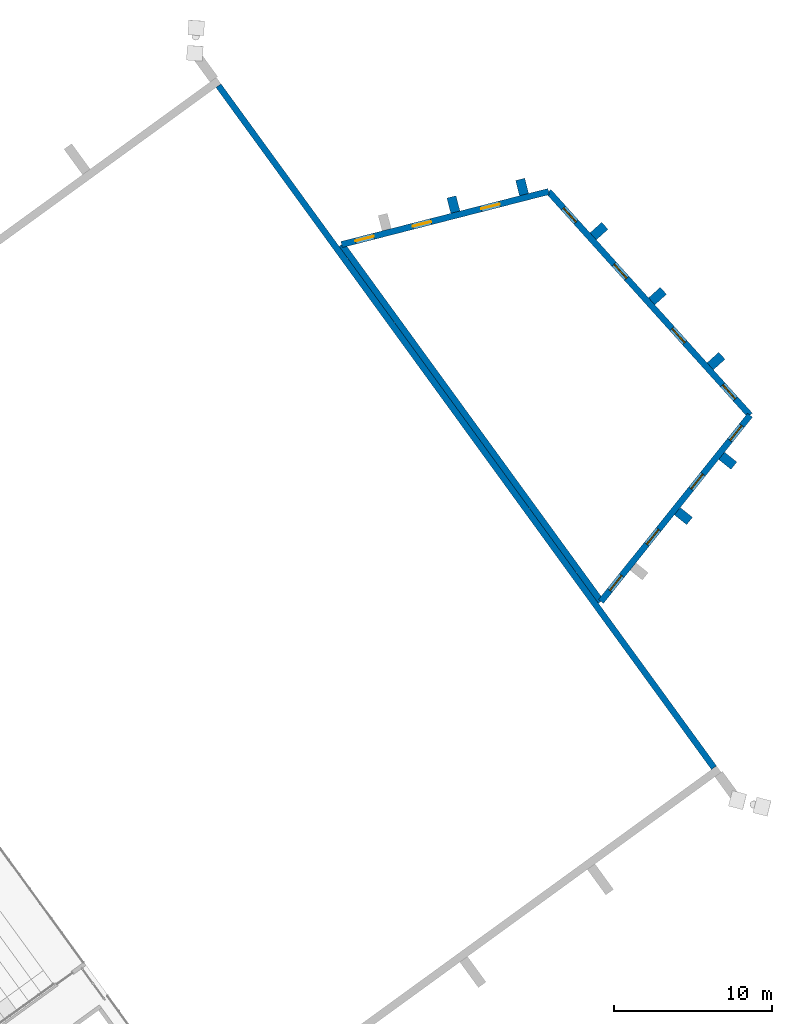
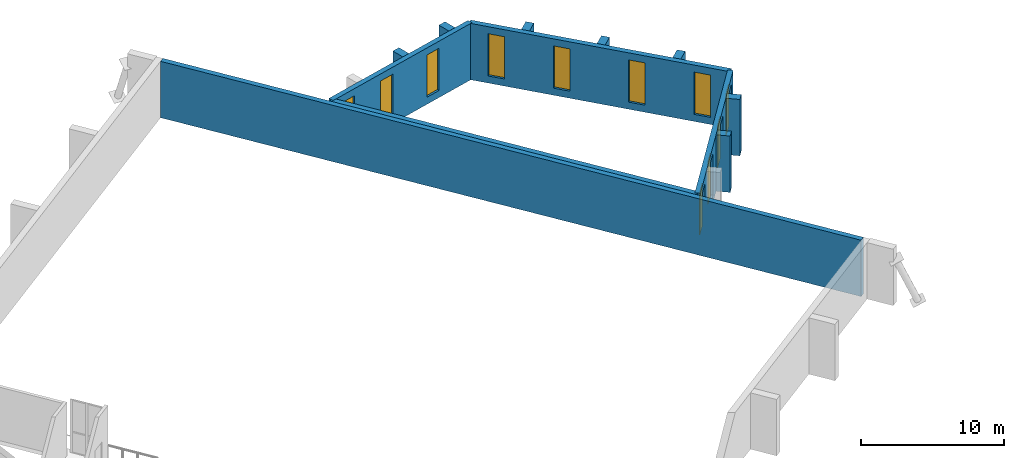
# One storey, part 149 of 182: 12 walls, 11 windows, 11 openings.
"""IFC4 building model written with IfcOpenShell, lengths in metres."""

from ifc_helpers import new_model, si_unit, direction, frame, frame_2d, origin, place, context, subcontext, project, spatial, rectangle, extrude, material, layer, layer_set, type_object, element, fill, save


model = new_model("IFC4")

# Units and contexts
model_context = context("Model", 3, precision=1e-05, world=origin(), true_north=direction((0.0, 1.0)))
body_context = subcontext(model_context, "Body", "Model", "MODEL_VIEW")
ifc_project = project(units=[si_unit("LENGTHUNIT", "METRE"), si_unit("AREAUNIT", "SQUARE_METRE"), si_unit("VOLUMEUNIT", "CUBIC_METRE"), si_unit("PLANEANGLEUNIT", "RADIAN"), si_unit("MASSUNIT", "GRAM", prefix="KILO")], contexts=[model_context])

# Site, building, storey
site_placement = place(None, origin())
site = spatial("IfcSite", under=ifc_project, at=site_placement, CompositionType="ELEMENT")
building_placement = place(site_placement, origin())
building = spatial("IfcBuilding", under=site, at=building_placement, Name="Okhra Congress Centre", CompositionType="ELEMENT")
storey_placement = place(building_placement, frame((0.0, 0.0, 7.199951171875)))
storey = spatial("IfcBuildingStorey", under=building, at=storey_placement, Name="L01", CompositionType="ELEMENT", Elevation=7.199951171875)

# Walls
ifc_material_1 = material(Name="Concrete C30/37", Category="concrete")
ifc_layer_1 = layer(ifc_material_1, 0.39990234375)
ifc_layer_set_1 = layer_set([ifc_layer_1], Name="RC wall 400 REI 120 C30/37")
wall_type_1 = type_object("IfcWallType", Name="RC wall 400 REI 120 C30/37", PredefinedType="SOLIDWALL", material=ifc_layer_set_1)
wall_1_placement = place(storey_placement, frame((278.20458984375, 191.578369140625, 0.0), z_axis=(0.0, 0.0, 1.0), x_axis=(-0.587787147296, 0.809015617571, 0.0)))
element("IfcWall", 1, at=wall_1_placement, inside=storey, type_object=wall_type_1, Name="End wall E L01", PredefinedType="SOLIDWALL", context=body_context, shape_type="SweptSolid", body=[
    extrude(rectangle(XDim=53.499755859375, YDim=0.39990234375, at=frame_2d((26.75, 0.0))), origin(), (0.0, 0.0, 1.0), 4.800048828125),
])
wall_2_placement = place(storey_placement, frame((271.033935546875, 202.12841796875, 0.0), z_axis=(0.0, 0.0, 1.0), x_axis=(-0.587787980643, 0.809015012105, 0.0)))
element("IfcWall", 2, at=wall_2_placement, inside=storey, type_object=wall_type_1, Name="Stage house wall W L01", PredefinedType="SOLIDWALL", context=body_context, shape_type="SweptSolid", body=[
    extrude(rectangle(XDim=28.0, YDim=0.39990234375, at=frame_2d((14.0, 0.0))), origin(), (0.0, 0.0, 1.0), 4.800048828125),
])

# Wall, openings, windows
wall_3_placement = place(storey_placement, frame((280.494384765625, 213.946044921875, 0.0), z_axis=(0.0, 0.0, 1.0), x_axis=(-0.66924426707, 0.743042469173, 0.0)))
wall_3 = element("IfcWall", 3, at=wall_3_placement, inside=storey, type_object=wall_type_1, Name="Stage house wall E L01", PredefinedType="SOLIDWALL", context=body_context, shape_type="SweptSolid", body=[
    extrude(rectangle(XDim=19.10498046875, YDim=0.39990234375, at=frame_2d((9.552490234375, 0.0))), origin(), (0.0, 0.0, 1.0), 4.800048828125),
])
opening_1_placement = place(wall_3_placement, frame((1.39990234375, 0.0, 0.60009765625)))
opening_1 = element("IfcOpeningElement", 4, at=opening_1_placement, cuts=wall_3, Name="Opening WN38", PredefinedType="OPENING", context=body_context, shape_type="SweptSolid", body=[
    extrude(rectangle(XDim=1.199951171875, YDim=3.60009765625, at=frame_2d((0.60009765625, 1.800048828125))), frame((0.0, 0.2099609375, 0.0), z_axis=(0.0, -1.0, 0.0), x_axis=(1.0, 0.0, 0.0)), (0.0, 0.0, 1.0), 0.419921875),
])
opening_2_placement = place(wall_3_placement, frame((6.199951171875, 0.0, 0.60009765625)))
opening_2 = element("IfcOpeningElement", 5, at=opening_2_placement, cuts=wall_3, Name="Opening WN38", PredefinedType="OPENING", context=body_context, shape_type="SweptSolid", body=[
    extrude(rectangle(XDim=1.199951171875, YDim=3.60009765625, at=frame_2d((0.60009765625, 1.800048828125))), frame((0.0, 0.2099609375, 0.0), z_axis=(0.0, -1.0, 0.0), x_axis=(1.0, 0.0, 0.0)), (0.0, 0.0, 1.0), 0.419921875),
])
opening_3_placement = place(wall_3_placement, frame((11.699951171875, 0.0, 0.60009765625)))
opening_3 = element("IfcOpeningElement", 6, at=opening_3_placement, cuts=wall_3, Name="Opening WN38", PredefinedType="OPENING", context=body_context, shape_type="SweptSolid", body=[
    extrude(rectangle(XDim=1.199951171875, YDim=3.60009765625, at=frame_2d((0.60009765625, 1.800048828125))), frame((0.0, 0.2099609375, 0.0), z_axis=(0.0, -1.0, 0.0), x_axis=(1.0, 0.0, 0.0)), (0.0, 0.0, 1.0), 0.419921875),
])
opening_4_placement = place(wall_3_placement, frame((16.5, 0.0, 0.60009765625)))
opening_4 = element("IfcOpeningElement", 7, at=opening_4_placement, cuts=wall_3, Name="Opening WN38", PredefinedType="OPENING", context=body_context, shape_type="SweptSolid", body=[
    extrude(rectangle(XDim=1.199951171875, YDim=3.60009765625, at=frame_2d((0.60009765625, 1.800048828125))), frame((0.0, 0.2099609375, 0.0), z_axis=(0.0, -1.0, 0.0), x_axis=(1.0, 0.0, 0.0)), (0.0, 0.0, 1.0), 0.419921875),
])
ifc_material_2 = material(Name="Thermally broken aluminium frame, triple glazing", Category="aluminium")
window_type = type_object("IfcWindowType", Name="Fixed window 1200x3600", PartitioningType="SINGLE_PANEL", PredefinedType="WINDOW", material=ifc_material_2)
window_1_placement = place(opening_1_placement, origin())
window_1 = element("IfcWindow", 8, at=window_1_placement, inside=storey, type_object=window_type, Name="Stage house slot window", OverallHeight=3.60009765625, OverallWidth=1.199951171875, PartitioningType="SINGLE_PANEL", PredefinedType="WINDOW", context=body_context, shape_type="SweptSolid", body=[
    extrude(rectangle(XDim=1.199951171875, YDim=3.60009765625, at=frame_2d((0.60009765625, 1.800048828125))), frame((0.0, 0.030029296875, 0.0), z_axis=(0.0, -1.0, 0.0), x_axis=(1.0, 0.0, 0.0)), (0.0, 0.0, 1.0), 0.06005859375),
])
fill(opening_1, window_1)
window_2_placement = place(opening_2_placement, origin())
window_2 = element("IfcWindow", 9, at=window_2_placement, inside=storey, type_object=window_type, Name="Stage house slot window", OverallHeight=3.60009765625, OverallWidth=1.199951171875, PartitioningType="SINGLE_PANEL", PredefinedType="WINDOW", context=body_context, shape_type="SweptSolid", body=[
    extrude(rectangle(XDim=1.199951171875, YDim=3.60009765625, at=frame_2d((0.60009765625, 1.800048828125))), frame((0.0, 0.030029296875, 0.0), z_axis=(0.0, -1.0, 0.0), x_axis=(1.0, 0.0, 0.0)), (0.0, 0.0, 1.0), 0.06005859375),
])
fill(opening_2, window_2)
window_3_placement = place(opening_3_placement, origin())
window_3 = element("IfcWindow", 10, at=window_3_placement, inside=storey, type_object=window_type, Name="Stage house slot window", OverallHeight=3.60009765625, OverallWidth=1.199951171875, PartitioningType="SINGLE_PANEL", PredefinedType="WINDOW", context=body_context, shape_type="SweptSolid", body=[
    extrude(rectangle(XDim=1.199951171875, YDim=3.60009765625, at=frame_2d((0.60009765625, 1.800048828125))), frame((0.0, 0.030029296875, 0.0), z_axis=(0.0, -1.0, 0.0), x_axis=(1.0, 0.0, 0.0)), (0.0, 0.0, 1.0), 0.06005859375),
])
fill(opening_3, window_3)
window_4_placement = place(opening_4_placement, origin())
window_4 = element("IfcWindow", 11, at=window_4_placement, inside=storey, type_object=window_type, Name="Stage house slot window", OverallHeight=3.60009765625, OverallWidth=1.199951171875, PartitioningType="SINGLE_PANEL", PredefinedType="WINDOW", context=body_context, shape_type="SweptSolid", body=[
    extrude(rectangle(XDim=1.199951171875, YDim=3.60009765625, at=frame_2d((0.60009765625, 1.800048828125))), frame((0.0, 0.030029296875, 0.0), z_axis=(0.0, -1.0, 0.0), x_axis=(1.0, 0.0, 0.0)), (0.0, 0.0, 1.0), 0.06005859375),
])
fill(opening_4, window_4)

wall_4_placement = place(storey_placement, frame((271.033935546875, 202.12841796875, 0.0), z_axis=(0.0, 0.0, 1.0), x_axis=(0.624950698066, 0.780664220384, 0.0)))
wall_4 = element("IfcWall", 12, at=wall_4_placement, inside=storey, type_object=wall_type_1, Name="Stage house wall S L01", PredefinedType="SOLIDWALL", context=body_context, shape_type="SweptSolid", body=[
    extrude(rectangle(XDim=15.137939453125, YDim=0.39990234375, at=frame_2d((7.56884765625, 0.0))), origin(), (0.0, 0.0, 1.0), 4.800048828125),
])
opening_5_placement = place(wall_4_placement, frame((0.89990234375, 0.0, 0.60009765625)))
opening_5 = element("IfcOpeningElement", 13, at=opening_5_placement, cuts=wall_4, Name="Opening WN38", PredefinedType="OPENING", context=body_context, shape_type="SweptSolid", body=[
    extrude(rectangle(XDim=1.199951171875, YDim=3.60009765625, at=frame_2d((0.60009765625, 1.800048828125))), frame((0.0, 0.2099609375, 0.0), z_axis=(0.0, -1.0, 0.0), x_axis=(1.0, 0.0, 0.0)), (0.0, 0.0, 1.0), 0.419921875),
])
opening_6_placement = place(wall_4_placement, frame((4.64990234375, 0.0, 0.60009765625)))
opening_6 = element("IfcOpeningElement", 14, at=opening_6_placement, cuts=wall_4, Name="Opening WN38", PredefinedType="OPENING", context=body_context, shape_type="SweptSolid", body=[
    extrude(rectangle(XDim=1.199951171875, YDim=3.60009765625, at=frame_2d((0.60009765625, 1.800048828125))), frame((0.0, 0.2099609375, 0.0), z_axis=(0.0, -1.0, 0.0), x_axis=(1.0, 0.0, 0.0)), (0.0, 0.0, 1.0), 0.419921875),
])
opening_7_placement = place(wall_4_placement, frame((9.14990234375, 0.0, 0.60009765625)))
opening_7 = element("IfcOpeningElement", 15, at=opening_7_placement, cuts=wall_4, Name="Opening WN38", PredefinedType="OPENING", context=body_context, shape_type="SweptSolid", body=[
    extrude(rectangle(XDim=1.199951171875, YDim=3.60009765625, at=frame_2d((0.60009765625, 1.800048828125))), frame((0.0, 0.2099609375, 0.0), z_axis=(0.0, -1.0, 0.0), x_axis=(1.0, 0.0, 0.0)), (0.0, 0.0, 1.0), 0.419921875),
])
opening_8_placement = place(wall_4_placement, frame((13.10009765625, 0.0, 0.60009765625)))
opening_8 = element("IfcOpeningElement", 16, at=opening_8_placement, cuts=wall_4, Name="Opening WN38", PredefinedType="OPENING", context=body_context, shape_type="SweptSolid", body=[
    extrude(rectangle(XDim=1.199951171875, YDim=3.60009765625, at=frame_2d((0.60009765625, 1.800048828125))), frame((0.0, 0.2099609375, 0.0), z_axis=(0.0, -1.0, 0.0), x_axis=(1.0, 0.0, 0.0)), (0.0, 0.0, 1.0), 0.419921875),
])
window_5_placement = place(opening_5_placement, origin())
window_5 = element("IfcWindow", 17, at=window_5_placement, inside=storey, type_object=window_type, Name="Stage house slot window", OverallHeight=3.60009765625, OverallWidth=1.199951171875, PartitioningType="SINGLE_PANEL", PredefinedType="WINDOW", context=body_context, shape_type="SweptSolid", body=[
    extrude(rectangle(XDim=1.199951171875, YDim=3.60009765625, at=frame_2d((0.60009765625, 1.800048828125))), frame((0.0, 0.030029296875, 0.0), z_axis=(0.0, -1.0, 0.0), x_axis=(1.0, 0.0, 0.0)), (0.0, 0.0, 1.0), 0.06005859375),
])
fill(opening_5, window_5)
window_6_placement = place(opening_6_placement, origin())
window_6 = element("IfcWindow", 18, at=window_6_placement, inside=storey, type_object=window_type, Name="Stage house slot window", OverallHeight=3.60009765625, OverallWidth=1.199951171875, PartitioningType="SINGLE_PANEL", PredefinedType="WINDOW", context=body_context, shape_type="SweptSolid", body=[
    extrude(rectangle(XDim=1.199951171875, YDim=3.60009765625, at=frame_2d((0.60009765625, 1.800048828125))), frame((0.0, 0.030029296875, 0.0), z_axis=(0.0, -1.0, 0.0), x_axis=(1.0, 0.0, 0.0)), (0.0, 0.0, 1.0), 0.06005859375),
])
fill(opening_6, window_6)
window_7_placement = place(opening_7_placement, origin())
window_7 = element("IfcWindow", 19, at=window_7_placement, inside=storey, type_object=window_type, Name="Stage house slot window", OverallHeight=3.60009765625, OverallWidth=1.199951171875, PartitioningType="SINGLE_PANEL", PredefinedType="WINDOW", context=body_context, shape_type="SweptSolid", body=[
    extrude(rectangle(XDim=1.199951171875, YDim=3.60009765625, at=frame_2d((0.60009765625, 1.800048828125))), frame((0.0, 0.030029296875, 0.0), z_axis=(0.0, -1.0, 0.0), x_axis=(1.0, 0.0, 0.0)), (0.0, 0.0, 1.0), 0.06005859375),
])
fill(opening_7, window_7)
window_8_placement = place(opening_8_placement, origin())
window_8 = element("IfcWindow", 20, at=window_8_placement, inside=storey, type_object=window_type, Name="Stage house slot window", OverallHeight=3.60009765625, OverallWidth=1.199951171875, PartitioningType="SINGLE_PANEL", PredefinedType="WINDOW", context=body_context, shape_type="SweptSolid", body=[
    extrude(rectangle(XDim=1.199951171875, YDim=3.60009765625, at=frame_2d((0.60009765625, 1.800048828125))), frame((0.0, 0.030029296875, 0.0), z_axis=(0.0, -1.0, 0.0), x_axis=(1.0, 0.0, 0.0)), (0.0, 0.0, 1.0), 0.06005859375),
])
fill(opening_8, window_8)

wall_5_placement = place(storey_placement, frame((254.575927734375, 224.78076171875, 0.0), z_axis=(0.0, 0.0, 1.0), x_axis=(0.968774540498, 0.247943319496, 0.0)))
wall_5 = element("IfcWall", 21, at=wall_5_placement, inside=storey, type_object=wall_type_1, Name="Stage house wall N L01", PredefinedType="SOLIDWALL", context=body_context, shape_type="SweptSolid", body=[
    extrude(rectangle(XDim=13.555908203125, YDim=0.39990234375, at=frame_2d((6.77783203125, 0.0))), origin(), (0.0, 0.0, 1.0), 4.800048828125),
])
opening_9_placement = place(wall_5_placement, frame((0.89990234375, 0.0, 0.60009765625)))
opening_9 = element("IfcOpeningElement", 22, at=opening_9_placement, cuts=wall_5, Name="Opening WN38", PredefinedType="OPENING", context=body_context, shape_type="SweptSolid", body=[
    extrude(rectangle(XDim=1.199951171875, YDim=3.60009765625, at=frame_2d((0.60009765625, 1.800048828125))), frame((0.0, 0.2099609375, 0.0), z_axis=(0.0, -1.0, 0.0), x_axis=(1.0, 0.0, 0.0)), (0.0, 0.0, 1.0), 0.419921875),
])
opening_10_placement = place(wall_5_placement, frame((4.64990234375, 0.0, 0.60009765625)))
opening_10 = element("IfcOpeningElement", 23, at=opening_10_placement, cuts=wall_5, Name="Opening WN38", PredefinedType="OPENING", context=body_context, shape_type="SweptSolid", body=[
    extrude(rectangle(XDim=1.199951171875, YDim=3.60009765625, at=frame_2d((0.60009765625, 1.800048828125))), frame((0.0, 0.2099609375, 0.0), z_axis=(0.0, -1.0, 0.0), x_axis=(1.0, 0.0, 0.0)), (0.0, 0.0, 1.0), 0.419921875),
])
opening_11_placement = place(wall_5_placement, frame((9.14990234375, 0.0, 0.60009765625)))
opening_11 = element("IfcOpeningElement", 24, at=opening_11_placement, cuts=wall_5, Name="Opening WN38", PredefinedType="OPENING", context=body_context, shape_type="SweptSolid", body=[
    extrude(rectangle(XDim=1.199951171875, YDim=3.60009765625, at=frame_2d((0.60009765625, 1.800048828125))), frame((0.0, 0.2099609375, 0.0), z_axis=(0.0, -1.0, 0.0), x_axis=(1.0, 0.0, 0.0)), (0.0, 0.0, 1.0), 0.419921875),
])
window_9_placement = place(opening_9_placement, origin())
window_9 = element("IfcWindow", 25, at=window_9_placement, inside=storey, type_object=window_type, Name="Stage house slot window", OverallHeight=3.60009765625, OverallWidth=1.199951171875, PartitioningType="SINGLE_PANEL", PredefinedType="WINDOW", context=body_context, shape_type="SweptSolid", body=[
    extrude(rectangle(XDim=1.199951171875, YDim=3.60009765625, at=frame_2d((0.60009765625, 1.800048828125))), frame((0.0, 0.030029296875, 0.0), z_axis=(0.0, -1.0, 0.0), x_axis=(1.0, 0.0, 0.0)), (0.0, 0.0, 1.0), 0.06005859375),
])
fill(opening_9, window_9)
window_10_placement = place(opening_10_placement, origin())
window_10 = element("IfcWindow", 26, at=window_10_placement, inside=storey, type_object=window_type, Name="Stage house slot window", OverallHeight=3.60009765625, OverallWidth=1.199951171875, PartitioningType="SINGLE_PANEL", PredefinedType="WINDOW", context=body_context, shape_type="SweptSolid", body=[
    extrude(rectangle(XDim=1.199951171875, YDim=3.60009765625, at=frame_2d((0.60009765625, 1.800048828125))), frame((0.0, 0.030029296875, 0.0), z_axis=(0.0, -1.0, 0.0), x_axis=(1.0, 0.0, 0.0)), (0.0, 0.0, 1.0), 0.06005859375),
])
fill(opening_10, window_10)
window_11_placement = place(opening_11_placement, origin())
window_11 = element("IfcWindow", 27, at=window_11_placement, inside=storey, type_object=window_type, Name="Stage house slot window", OverallHeight=3.60009765625, OverallWidth=1.199951171875, PartitioningType="SINGLE_PANEL", PredefinedType="WINDOW", context=body_context, shape_type="SweptSolid", body=[
    extrude(rectangle(XDim=1.199951171875, YDim=3.60009765625, at=frame_2d((0.60009765625, 1.800048828125))), frame((0.0, 0.030029296875, 0.0), z_axis=(0.0, -1.0, 0.0), x_axis=(1.0, 0.0, 0.0)), (0.0, 0.0, 1.0), 0.06005859375),
])
fill(opening_11, window_11)

# Walls
ifc_material_3 = material(Name="Concrete C35/45", Category="concrete")
ifc_layer_2 = layer(ifc_material_3, 0.60009765625)
ifc_layer_set_2 = layer_set([ifc_layer_2], Name="Stage house fin 600 R 120 C35/45")
wall_type_2 = type_object("IfcWallType", Name="Stage house fin 600 R 120 C35/45", PredefinedType="SOLIDWALL", material=ifc_layer_set_2)
for number, where, z_axis, x_axis, name in (
    (28, (277.966064453125, 217.052001953125, 0.0), (0.0, 0.0, 1.0), (0.742893420828, 0.669409714069, 0.0), "Stage house fin E1 L01"),
    (29, (274.251708984375, 221.176025390625, 0.0), (0.0, 0.0, 1.0), (0.743124177136, 0.669153537953, 0.0), "Stage house fin E2 L01"),
    (30, (270.537353515625, 225.2998046875, 0.0), (0.0, 0.0, 1.0), (0.743124177136, 0.669153537953, 0.0), "Stage house fin E3 L01"),
    (31, (275.877197265625, 207.8583984375, 0.0), (0.0, 0.0, 1.0), (0.78058288061, -0.625052291011, 0.0), "Stage house fin S2 L01"),
    (32, (278.689453125, 211.371337890625, 0.0), (0.0, 0.0, 1.0), (0.780678244716, -0.62493317901, 0.0), "Stage house fin S3 L01"),
):
    element("IfcWall", number, at=place(storey_placement, frame(where, z_axis=z_axis, x_axis=x_axis)), inside=storey, type_object=wall_type_2, Name=name, PredefinedType="SOLIDWALL", context=body_context, shape_type="SweptSolid", body=[
        extrude(rectangle(XDim=1.0, YDim=0.60009765625, at=frame_2d((0.5, 0.0))), origin(), (0.0, 0.0, 1.0), 4.800048828125),
    ])
for number, where, z_axis, x_axis, name in (
    (33, (261.792236328125, 226.833984375, 0.0), (0.0, 0.0, 1.0), (-0.247987749771, 0.96876316815, 0.0), "Stage house fin N2 L01"),
    (34, (266.151611328125, 227.94970703125, 0.0), (0.0, 0.0, 1.0), (-0.247758657109, 0.968821783316, 0.0), "Stage house fin N3 L01"),
):
    element("IfcWall", number, at=place(storey_placement, frame(where, z_axis=z_axis, x_axis=x_axis)), inside=storey, type_object=wall_type_2, Name=name, PredefinedType="SOLIDWALL", context=body_context, shape_type="SweptSolid", body=[
        extrude(rectangle(XDim=1.000244140625, YDim=0.60009765625, at=frame_2d((0.5, 0.0))), origin(), (0.0, 0.0, 1.0), 4.800048828125),
    ])

save(model, "model.ifc")
